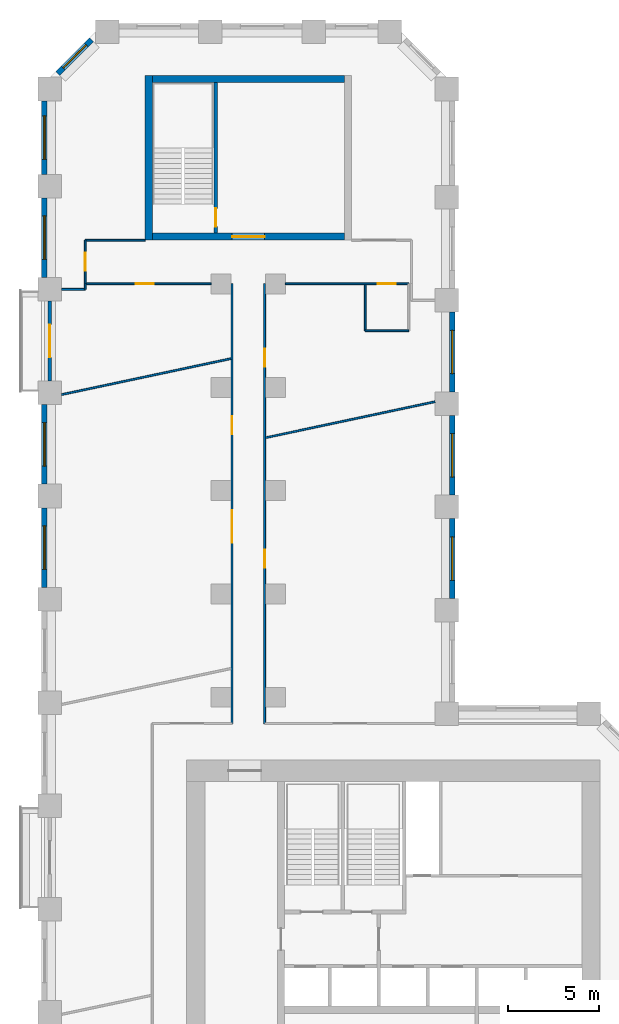
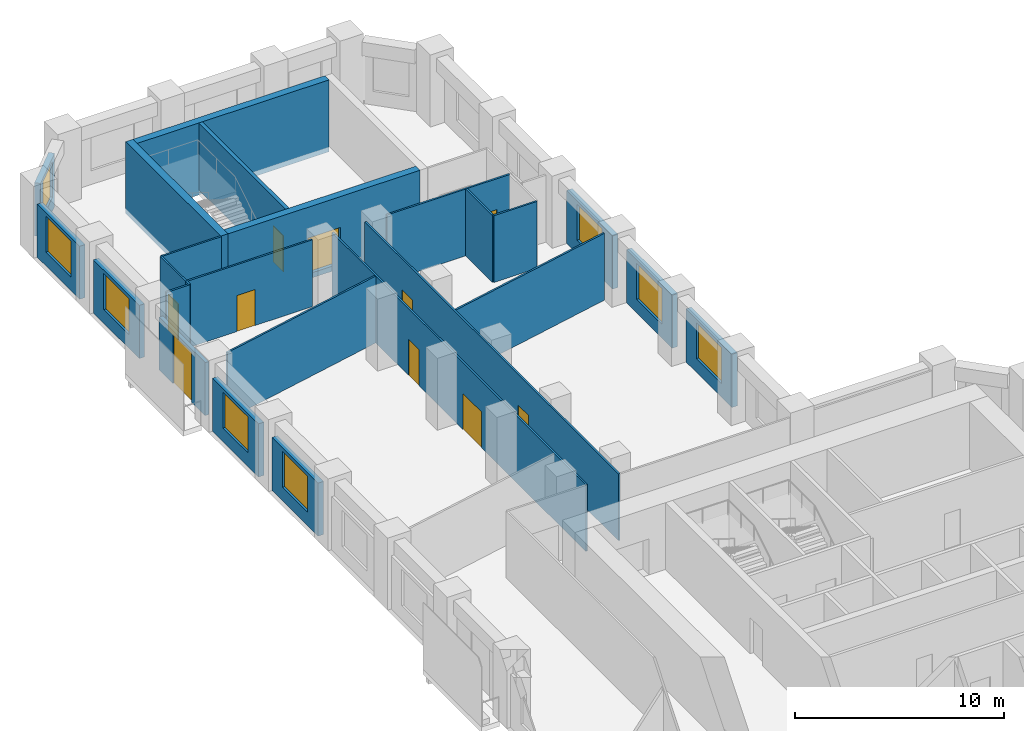
# One storey, part 8 of 11: 25 walls, 10 doors, 8 windows, 18 openings.
"""IFC4 building model written with IfcOpenShell, lengths in metres."""

from ifc_helpers import new_model, si_unit, direction, frame, frame_2d, origin, place, context, subcontext, project, spatial, rectangle, extrude, material, layer, layer_set, type_object, element, fill, save


model = new_model("IFC4")

# Units and contexts
model_context = context("Model", 3, precision=1e-05, world=origin(), true_north=direction((0.0, 1.0)))
body_context = subcontext(model_context, "Body", "Model", "MODEL_VIEW")
ifc_project = project(units=[si_unit("LENGTHUNIT", "METRE"), si_unit("AREAUNIT", "SQUARE_METRE"), si_unit("VOLUMEUNIT", "CUBIC_METRE"), si_unit("PLANEANGLEUNIT", "RADIAN"), si_unit("MASSUNIT", "GRAM", prefix="KILO")], contexts=[model_context])

# Site, building, storey
site_placement = place(None, origin())
site = spatial("IfcSite", under=ifc_project, at=site_placement, CompositionType="ELEMENT")
building_placement = place(site_placement, origin())
building = spatial("IfcBuilding", under=site, at=building_placement, Name="Meshkara Civic Tower", CompositionType="ELEMENT")
storey_placement = place(building_placement, frame((0.0, 0.0, 135.0)))
storey = spatial("IfcBuildingStorey", under=building, at=storey_placement, Name="L30", CompositionType="ELEMENT", Elevation=135.0)

# Wall, opening, door
ifc_material_1 = material(Name="Corridor wall 100")
ifc_layer_1 = layer(ifc_material_1, 0.10009765625)
ifc_layer_set_1 = layer_set([ifc_layer_1], Name="Corridor wall 100")
wall_type_1 = type_object("IfcWallType", Name="Corridor wall 100", PredefinedType="PARTITIONING", material=ifc_layer_set_1)
wall_1_placement = place(storey_placement, frame((2.39990234375, 63.169921875, 0.0), z_axis=(0.0, 0.0, 1.0), x_axis=(1.0, 0.0, 0.0)))
wall_1 = element("IfcWall", 1, at=wall_1_placement, inside=storey, type_object=wall_type_1, Name="L30-W001", PredefinedType="PARTITIONING", context=body_context, shape_type="SweptSolid", body=[
    extrude(rectangle(XDim=6.9501953125, YDim=0.10009765625, at=frame_2d((3.47509765625, 0.0))), origin(), (0.0, 0.0, 1.0), 3.89990234375),
])
opening_1_placement = place(wall_1_placement, frame((2.780029296875, 0.0, 0.0)))
opening_1 = element("IfcOpeningElement", 2, at=opening_1_placement, cuts=wall_1, Name="Opening L30-D023", PredefinedType="OPENING", context=body_context, shape_type="SweptSolid", body=[
    extrude(rectangle(XDim=1.0, YDim=2.10009765625, at=frame_2d((0.5, 1.050048828125))), frame((0.0, 0.06005859375, 0.0), z_axis=(0.0, -1.0, 0.0), x_axis=(1.0, 0.0, 0.0)), (0.0, 0.0, 1.0), 0.1201171875),
])
ifc_material_2 = material(Name="Door 1000 x 2100")
door_type_1 = type_object("IfcDoorType", Name="Door 1000 x 2100", OperationType="SINGLE_SWING_LEFT", PredefinedType="DOOR", material=ifc_material_2)
door_1_placement = place(opening_1_placement, origin())
door_1 = element("IfcDoor", 3, at=door_1_placement, inside=storey, type_object=door_type_1, Name="L30-D023", OperationType="SINGLE_SWING_RIGHT", OverallHeight=2.10009765625, OverallWidth=1.0, PredefinedType="DOOR", context=body_context, shape_type="SweptSolid", body=[
    extrude(rectangle(XDim=1.0, YDim=2.10009765625, at=frame_2d((0.5, 1.050048828125))), frame((0.0, 0.02490234375, 0.0), z_axis=(0.0, -1.0, 0.0), x_axis=(1.0, 0.0, 0.0)), (0.0, 0.0, 1.0), 0.050048828125),
])
fill(opening_1, door_1)

wall_2_placement = place(storey_placement, frame((2.39990234375, 65.570068359375, 0.0), z_axis=(0.0, 0.0, 1.0), x_axis=(0.0, -1.0, 0.0)))
wall_2 = element("IfcWall", 4, at=wall_2_placement, inside=storey, type_object=wall_type_1, Name="L30-W002", PredefinedType="PARTITIONING", context=body_context, shape_type="SweptSolid", body=[
    extrude(rectangle(XDim=2.400146484375, YDim=0.10009765625, at=frame_2d((1.2001953125, 0.0))), origin(), (0.0, 0.0, 1.0), 3.89990234375),
])
opening_2_placement = place(wall_2_placement, frame((0.679931640625, 0.0, 0.0)))
opening_2 = element("IfcOpeningElement", 5, at=opening_2_placement, cuts=wall_2, Name="Opening L30-D022", PredefinedType="OPENING", context=body_context, shape_type="SweptSolid", body=[
    extrude(rectangle(XDim=1.0, YDim=2.10009765625, at=frame_2d((0.5, 1.050048828125))), frame((0.0, 0.06005859375, 0.0), z_axis=(0.0, -1.0, 0.0), x_axis=(1.0, 0.0, 0.0)), (0.0, 0.0, 1.0), 0.1201171875),
])
door_2_placement = place(opening_2_placement, origin())
door_2 = element("IfcDoor", 6, at=door_2_placement, inside=storey, type_object=door_type_1, Name="L30-D022", OperationType="SINGLE_SWING_RIGHT", OverallHeight=2.10009765625, OverallWidth=1.0, PredefinedType="DOOR", context=body_context, shape_type="SweptSolid", body=[
    extrude(rectangle(XDim=1.0, YDim=2.10009765625, at=frame_2d((0.5, 1.050048828125))), frame((0.0, 0.02490234375, 0.0), z_axis=(0.0, -1.0, 0.0), x_axis=(1.0, 0.0, 0.0)), (0.0, 0.0, 1.0), 0.050048828125),
])
fill(opening_2, door_2)

# Wall
wall_3_placement = place(storey_placement, frame((5.699951171875, 65.570068359375, 0.0), z_axis=(0.0, 0.0, 1.0), x_axis=(-1.0, 0.0, 0.0)))
element("IfcWall", 7, at=wall_3_placement, inside=storey, type_object=wall_type_1, Name="L30-W003", PredefinedType="PARTITIONING", context=body_context, shape_type="SweptSolid", body=[
    extrude(rectangle(XDim=3.300048828125, YDim=0.10009765625, at=frame_2d((1.64990234375, 0.0))), origin(), (0.0, 0.0, 1.0), 3.89990234375),
])

# Wall, openings, doors
wall_4_placement = place(storey_placement, frame((10.5, 63.169921875, 0.0), z_axis=(0.0, 0.0, 1.0), x_axis=(0.0, -1.0, 0.0)))
wall_4 = element("IfcWall", 8, at=wall_4_placement, inside=storey, type_object=wall_type_1, Name="L30-W012", PredefinedType="PARTITIONING", context=body_context, shape_type="SweptSolid", body=[
    extrude(rectangle(XDim=24.27001953125, YDim=0.10009765625, at=frame_2d((12.135009765625, 0.0))), origin(), (0.0, 0.0, 1.0), 3.89990234375),
])
opening_3_placement = place(wall_4_placement, frame((12.5029296875, 0.0, 0.0)))
opening_3 = element("IfcOpeningElement", 9, at=opening_3_placement, cuts=wall_4, Name="Opening L30-D019", PredefinedType="OPENING", context=body_context, shape_type="SweptSolid", body=[
    extrude(rectangle(XDim=1.800048828125, YDim=2.10009765625, at=frame_2d((0.89990234375, 1.050048828125))), frame((0.0, 0.06005859375, 0.0), z_axis=(0.0, -1.0, 0.0), x_axis=(1.0, 0.0, 0.0)), (0.0, 0.0, 1.0), 0.1201171875),
])
opening_4_placement = place(wall_4_placement, frame((7.302978515625, 0.0, 0.0)))
opening_4 = element("IfcOpeningElement", 10, at=opening_4_placement, cuts=wall_4, Name="Opening L30-D020", PredefinedType="OPENING", context=body_context, shape_type="SweptSolid", body=[
    extrude(rectangle(XDim=1.0, YDim=2.10009765625, at=frame_2d((0.5, 1.050048828125))), frame((0.0, 0.06005859375, 0.0), z_axis=(0.0, -1.0, 0.0), x_axis=(1.0, 0.0, 0.0)), (0.0, 0.0, 1.0), 0.1201171875),
])
door_3_placement = place(opening_4_placement, origin())
door_3 = element("IfcDoor", 11, at=door_3_placement, inside=storey, type_object=door_type_1, Name="L30-D020", OperationType="SINGLE_SWING_RIGHT", OverallHeight=2.10009765625, OverallWidth=1.0, PredefinedType="DOOR", context=body_context, shape_type="SweptSolid", body=[
    extrude(rectangle(XDim=1.0, YDim=2.10009765625, at=frame_2d((0.5, 1.050048828125))), frame((0.0, 0.02490234375, 0.0), z_axis=(0.0, -1.0, 0.0), x_axis=(1.0, 0.0, 0.0)), (0.0, 0.0, 1.0), 0.050048828125),
])
fill(opening_4, door_3)
ifc_material_3 = material(Name="Door pair 1800 x 2100")
door_type_2 = type_object("IfcDoorType", Name="Door pair 1800 x 2100", OperationType="SINGLE_SWING_LEFT", PredefinedType="DOOR", material=ifc_material_3)
door_4_placement = place(opening_3_placement, origin())
door_4 = element("IfcDoor", 12, at=door_4_placement, inside=storey, type_object=door_type_2, Name="L30-D019", OperationType="DOUBLE_DOOR_SINGLE_SWING", OverallHeight=2.10009765625, OverallWidth=1.800048828125, PredefinedType="DOOR", context=body_context, shape_type="SweptSolid", body=[
    extrude(rectangle(XDim=1.800048828125, YDim=2.10009765625, at=frame_2d((0.89990234375, 1.050048828125))), frame((0.0, 0.02490234375, 0.0), z_axis=(0.0, -1.0, 0.0), x_axis=(1.0, 0.0, 0.0)), (0.0, 0.0, 1.0), 0.050048828125),
])
fill(opening_3, door_4)

wall_5_placement = place(storey_placement, frame((12.300048828125, 63.169921875, 0.0), z_axis=(0.0, 0.0, 1.0), x_axis=(0.0, -1.0, 0.0)))
wall_5 = element("IfcWall", 13, at=wall_5_placement, inside=storey, type_object=wall_type_1, Name="L30-W013", PredefinedType="PARTITIONING", context=body_context, shape_type="SweptSolid", body=[
    extrude(rectangle(XDim=24.27001953125, YDim=0.10009765625, at=frame_2d((12.135009765625, 0.0))), origin(), (0.0, 0.0, 1.0), 3.89990234375),
])
opening_5_placement = place(wall_5_placement, frame((14.678955078125, 0.0, 0.0)))
opening_5 = element("IfcOpeningElement", 14, at=opening_5_placement, cuts=wall_5, Name="Opening L30-D018", PredefinedType="OPENING", context=body_context, shape_type="SweptSolid", body=[
    extrude(rectangle(XDim=1.0, YDim=2.10009765625, at=frame_2d((0.5, 1.050048828125))), frame((0.0, 0.06005859375, 0.0), z_axis=(0.0, -1.0, 0.0), x_axis=(1.0, 0.0, 0.0)), (0.0, 0.0, 1.0), 0.1201171875),
])
opening_6_placement = place(wall_5_placement, frame((3.580078125, 0.0, 0.0)))
opening_6 = element("IfcOpeningElement", 15, at=opening_6_placement, cuts=wall_5, Name="Opening L30-D021", PredefinedType="OPENING", context=body_context, shape_type="SweptSolid", body=[
    extrude(rectangle(XDim=1.0, YDim=2.10009765625, at=frame_2d((0.5, 1.050048828125))), frame((0.0, 0.06005859375, 0.0), z_axis=(0.0, -1.0, 0.0), x_axis=(1.0, 0.0, 0.0)), (0.0, 0.0, 1.0), 0.1201171875),
])
door_5_placement = place(opening_5_placement, origin())
door_5 = element("IfcDoor", 16, at=door_5_placement, inside=storey, type_object=door_type_1, Name="L30-D018", OperationType="SINGLE_SWING_LEFT", OverallHeight=2.10009765625, OverallWidth=1.0, PredefinedType="DOOR", context=body_context, shape_type="SweptSolid", body=[
    extrude(rectangle(XDim=1.0, YDim=2.10009765625, at=frame_2d((0.5, 1.050048828125))), frame((0.0, 0.02490234375, 0.0), z_axis=(0.0, -1.0, 0.0), x_axis=(1.0, 0.0, 0.0)), (0.0, 0.0, 1.0), 0.050048828125),
])
fill(opening_5, door_5)
door_6_placement = place(opening_6_placement, origin())
door_6 = element("IfcDoor", 17, at=door_6_placement, inside=storey, type_object=door_type_1, Name="L30-D021", OperationType="SINGLE_SWING_LEFT", OverallHeight=2.10009765625, OverallWidth=1.0, PredefinedType="DOOR", context=body_context, shape_type="SweptSolid", body=[
    extrude(rectangle(XDim=1.0, YDim=2.10009765625, at=frame_2d((0.5, 1.050048828125))), frame((0.0, 0.02490234375, 0.0), z_axis=(0.0, -1.0, 0.0), x_axis=(1.0, 0.0, 0.0)), (0.0, 0.0, 1.0), 0.050048828125),
])
fill(opening_6, door_6)

# Wall, opening, door
wall_6_placement = place(storey_placement, frame((13.449951171875, 63.169921875, 0.0), z_axis=(0.0, 0.0, 1.0), x_axis=(1.0, 0.0, 0.0)))
wall_6 = element("IfcWall", 18, at=wall_6_placement, inside=storey, type_object=wall_type_1, Name="L30-W015", PredefinedType="PARTITIONING", context=body_context, shape_type="SweptSolid", body=[
    extrude(rectangle(XDim=6.800048828125, YDim=0.10009765625, at=frame_2d((3.39990234375, 0.0))), origin(), (0.0, 0.0, 1.0), 3.89990234375),
])
opening_7_placement = place(wall_6_placement, frame((5.080078125, 0.0, 0.0)))
opening_7 = element("IfcOpeningElement", 19, at=opening_7_placement, cuts=wall_6, Name="Opening L30-D025", PredefinedType="OPENING", context=body_context, shape_type="SweptSolid", body=[
    extrude(rectangle(XDim=1.0, YDim=2.10009765625, at=frame_2d((0.5, 1.050048828125))), frame((0.0, 0.06005859375, 0.0), z_axis=(0.0, -1.0, 0.0), x_axis=(1.0, 0.0, 0.0)), (0.0, 0.0, 1.0), 0.1201171875),
])
door_7_placement = place(opening_7_placement, origin())
door_7 = element("IfcDoor", 20, at=door_7_placement, inside=storey, type_object=door_type_1, Name="L30-D025", OperationType="SINGLE_SWING_RIGHT", OverallHeight=2.10009765625, OverallWidth=1.0, PredefinedType="DOOR", context=body_context, shape_type="SweptSolid", body=[
    extrude(rectangle(XDim=1.0, YDim=2.10009765625, at=frame_2d((0.5, 1.050048828125))), frame((0.0, 0.02490234375, 0.0), z_axis=(0.0, -1.0, 0.0), x_axis=(1.0, 0.0, 0.0)), (0.0, 0.0, 1.0), 0.050048828125),
])
fill(opening_7, door_7)

# Wall, opening, window
ifc_material_4 = material(Name="Insulated infill panel with bronze anodised aluminium cladding", Category="aluminium")
ifc_layer_2 = layer(ifc_material_4, 0.300048828125)
ifc_layer_set_2 = layer_set([ifc_layer_2], Name="EXTERNAL INFILL WALL 300")
wall_type_2 = type_object("IfcWallType", Name="EXTERNAL INFILL WALL 300", PredefinedType="SOLIDWALL", material=ifc_layer_set_2)
wall_7_placement = place(storey_placement, frame((22.64990234375, 45.800048828125, 0.0), z_axis=(0.0, 0.0, 1.0), x_axis=(0.0, 1.0, 0.0)))
wall_7 = element("IfcWall", 21, at=wall_7_placement, inside=storey, type_object=wall_type_2, Name="External wall", PredefinedType="SOLIDWALL", context=body_context, shape_type="SweptSolid", body=[
    extrude(rectangle(XDim=4.39990234375, YDim=0.300048828125, at=frame_2d((2.199951171875, 0.0))), origin(), (0.0, 0.0, 1.0), 3.10009765625),
])
opening_8_placement = place(wall_7_placement, frame((1.0, 0.0, 0.800048828125)))
opening_8 = element("IfcOpeningElement", 22, at=opening_8_placement, cuts=wall_7, Name="Opening W7", PredefinedType="OPENING", context=body_context, shape_type="SweptSolid", body=[
    extrude(rectangle(XDim=2.39990234375, YDim=2.10009765625, at=frame_2d((1.199951171875, 1.050048828125))), frame((0.0, 0.159912109375, 0.0), z_axis=(0.0, -1.0, 0.0), x_axis=(1.0, 0.0, 0.0)), (0.0, 0.0, 1.0), 0.320068359375),
])
ifc_material_5 = material(Name="Tinted double glazing", Category="glass")
window_type_1 = type_object("IfcWindowType", Name="WINDOW 2400x2100", PartitioningType="DOUBLE_PANEL_VERTICAL", PredefinedType="WINDOW", material=ifc_material_5)
window_1_placement = place(opening_8_placement, origin())
window_1 = element("IfcWindow", 23, at=window_1_placement, inside=storey, type_object=window_type_1, Name="Window", OverallHeight=2.10009765625, OverallWidth=2.39990234375, PartitioningType="DOUBLE_PANEL_VERTICAL", PredefinedType="WINDOW", context=body_context, shape_type="SweptSolid", body=[
    extrude(rectangle(XDim=2.39990234375, YDim=2.10009765625, at=frame_2d((1.199951171875, 1.050048828125))), frame((0.0, 0.030029296875, 0.0), z_axis=(0.0, -1.0, 0.0), x_axis=(1.0, 0.0, 0.0)), (0.0, 0.0, 1.0), 0.06005859375),
])
fill(opening_8, window_1)

wall_8_placement = place(storey_placement, frame((22.64990234375, 51.5, 0.0), z_axis=(0.0, 0.0, 1.0), x_axis=(0.0, 1.0, 0.0)))
wall_8 = element("IfcWall", 24, at=wall_8_placement, inside=storey, type_object=wall_type_2, Name="External wall", PredefinedType="SOLIDWALL", context=body_context, shape_type="SweptSolid", body=[
    extrude(rectangle(XDim=4.39990234375, YDim=0.300048828125, at=frame_2d((2.199951171875, 0.0))), origin(), (0.0, 0.0, 1.0), 3.10009765625),
])
opening_9_placement = place(wall_8_placement, frame((1.0, 0.0, 0.800048828125)))
opening_9 = element("IfcOpeningElement", 25, at=opening_9_placement, cuts=wall_8, Name="Opening W7", PredefinedType="OPENING", context=body_context, shape_type="SweptSolid", body=[
    extrude(rectangle(XDim=2.39990234375, YDim=2.10009765625, at=frame_2d((1.199951171875, 1.050048828125))), frame((0.0, 0.159912109375, 0.0), z_axis=(0.0, -1.0, 0.0), x_axis=(1.0, 0.0, 0.0)), (0.0, 0.0, 1.0), 0.320068359375),
])
window_2_placement = place(opening_9_placement, origin())
window_2 = element("IfcWindow", 26, at=window_2_placement, inside=storey, type_object=window_type_1, Name="Window", OverallHeight=2.10009765625, OverallWidth=2.39990234375, PartitioningType="DOUBLE_PANEL_VERTICAL", PredefinedType="WINDOW", context=body_context, shape_type="SweptSolid", body=[
    extrude(rectangle(XDim=2.39990234375, YDim=2.10009765625, at=frame_2d((1.199951171875, 1.050048828125))), frame((0.0, 0.030029296875, 0.0), z_axis=(0.0, -1.0, 0.0), x_axis=(1.0, 0.0, 0.0)), (0.0, 0.0, 1.0), 0.06005859375),
])
fill(opening_9, window_2)

wall_9_placement = place(storey_placement, frame((22.64990234375, 57.199951171875, 0.0), z_axis=(0.0, 0.0, 1.0), x_axis=(0.0, 1.0, 0.0)))
wall_9 = element("IfcWall", 27, at=wall_9_placement, inside=storey, type_object=wall_type_2, Name="External wall", PredefinedType="SOLIDWALL", context=body_context, shape_type="SweptSolid", body=[
    extrude(rectangle(XDim=4.400146484375, YDim=0.300048828125, at=frame_2d((2.2001953125, 0.0))), origin(), (0.0, 0.0, 1.0), 3.10009765625),
])
opening_10_placement = place(wall_9_placement, frame((1.0, 0.0, 0.800048828125)))
opening_10 = element("IfcOpeningElement", 28, at=opening_10_placement, cuts=wall_9, Name="Opening W7", PredefinedType="OPENING", context=body_context, shape_type="SweptSolid", body=[
    extrude(rectangle(XDim=2.39990234375, YDim=2.10009765625, at=frame_2d((1.199951171875, 1.050048828125))), frame((0.0, 0.159912109375, 0.0), z_axis=(0.0, -1.0, 0.0), x_axis=(1.0, 0.0, 0.0)), (0.0, 0.0, 1.0), 0.320068359375),
])
window_3_placement = place(opening_10_placement, origin())
window_3 = element("IfcWindow", 29, at=window_3_placement, inside=storey, type_object=window_type_1, Name="Window", OverallHeight=2.10009765625, OverallWidth=2.39990234375, PartitioningType="DOUBLE_PANEL_VERTICAL", PredefinedType="WINDOW", context=body_context, shape_type="SweptSolid", body=[
    extrude(rectangle(XDim=2.39990234375, YDim=2.10009765625, at=frame_2d((1.199951171875, 1.050048828125))), frame((0.0, 0.030029296875, 0.0), z_axis=(0.0, -1.0, 0.0), x_axis=(1.0, 0.0, 0.0)), (0.0, 0.0, 1.0), 0.06005859375),
])
fill(opening_10, window_3)

wall_10_placement = place(storey_placement, frame((2.743896484375, 76.632080078125, 0.0), z_axis=(0.0, 0.0, 1.0), x_axis=(-0.707060274772, -0.707153284542, 0.0)))
wall_10 = element("IfcWall", 30, at=wall_10_placement, inside=storey, type_object=wall_type_2, Name="External wall", PredefinedType="SOLIDWALL", context=body_context, shape_type="SweptSolid", body=[
    extrude(rectangle(XDim=2.625, YDim=0.300048828125, at=frame_2d((1.3125, 0.0))), origin(), (0.0, 0.0, 1.0), 3.10009765625),
])
opening_11_placement = place(wall_10_placement, frame((0.412109375, 0.0, 0.800048828125)))
opening_11 = element("IfcOpeningElement", 31, at=opening_11_placement, cuts=wall_10, Name="Opening W9", PredefinedType="OPENING", context=body_context, shape_type="SweptSolid", body=[
    extrude(rectangle(XDim=1.800048828125, YDim=2.10009765625, at=frame_2d((0.89990234375, 1.050048828125))), frame((0.0, 0.159912109375, 0.0), z_axis=(0.0, -1.0, 0.0), x_axis=(1.0, 0.0, 0.0)), (0.0, 0.0, 1.0), 0.320068359375),
])
ifc_material_6 = material(Name="Tinted double glazing", Category="glass")
window_type_2 = type_object("IfcWindowType", Name="WINDOW 1800x2100", PartitioningType="DOUBLE_PANEL_VERTICAL", PredefinedType="WINDOW", material=ifc_material_6)
window_4_placement = place(opening_11_placement, origin())
window_4 = element("IfcWindow", 32, at=window_4_placement, inside=storey, type_object=window_type_2, Name="Window", OverallHeight=2.10009765625, OverallWidth=1.800048828125, PartitioningType="DOUBLE_PANEL_VERTICAL", PredefinedType="WINDOW", context=body_context, shape_type="SweptSolid", body=[
    extrude(rectangle(XDim=1.800048828125, YDim=2.10009765625, at=frame_2d((0.89990234375, 1.050048828125))), frame((0.0, 0.030029296875, 0.0), z_axis=(0.0, -1.0, 0.0), x_axis=(1.0, 0.0, 0.0)), (0.0, 0.0, 1.0), 0.06005859375),
])
fill(opening_11, window_4)

wall_11_placement = place(storey_placement, frame((0.14990234375, 73.263916015625, 0.0), z_axis=(0.0, 0.0, 1.0), x_axis=(0.0, -1.0, 0.0)))
wall_11 = element("IfcWall", 33, at=wall_11_placement, inside=storey, type_object=wall_type_2, Name="External wall", PredefinedType="SOLIDWALL", context=body_context, shape_type="SweptSolid", body=[
    extrude(rectangle(XDim=4.058837890625, YDim=0.300048828125, at=frame_2d((2.029296875, 0.0))), origin(), (0.0, 0.0, 1.0), 3.10009765625),
])
opening_12_placement = place(wall_11_placement, frame((0.8291015625, 0.0, 0.800048828125)))
opening_12 = element("IfcOpeningElement", 34, at=opening_12_placement, cuts=wall_11, Name="Opening W7", PredefinedType="OPENING", context=body_context, shape_type="SweptSolid", body=[
    extrude(rectangle(XDim=2.39990234375, YDim=2.10009765625, at=frame_2d((1.199951171875, 1.050048828125))), frame((0.0, 0.159912109375, 0.0), z_axis=(0.0, -1.0, 0.0), x_axis=(1.0, 0.0, 0.0)), (0.0, 0.0, 1.0), 0.320068359375),
])
window_5_placement = place(opening_12_placement, origin())
window_5 = element("IfcWindow", 35, at=window_5_placement, inside=storey, type_object=window_type_1, Name="Window", OverallHeight=2.10009765625, OverallWidth=2.39990234375, PartitioningType="DOUBLE_PANEL_VERTICAL", PredefinedType="WINDOW", context=body_context, shape_type="SweptSolid", body=[
    extrude(rectangle(XDim=2.39990234375, YDim=2.10009765625, at=frame_2d((1.199951171875, 1.050048828125))), frame((0.0, 0.030029296875, 0.0), z_axis=(0.0, -1.0, 0.0), x_axis=(1.0, 0.0, 0.0)), (0.0, 0.0, 1.0), 0.06005859375),
])
fill(opening_12, window_5)

wall_12_placement = place(storey_placement, frame((0.14990234375, 67.905029296875, 0.0), z_axis=(0.0, 0.0, 1.0), x_axis=(0.0, -1.0, 0.0)))
wall_12 = element("IfcWall", 36, at=wall_12_placement, inside=storey, type_object=wall_type_2, Name="External wall", PredefinedType="SOLIDWALL", context=body_context, shape_type="SweptSolid", body=[
    extrude(rectangle(XDim=4.400146484375, YDim=0.300048828125, at=frame_2d((2.2001953125, 0.0))), origin(), (0.0, 0.0, 1.0), 3.10009765625),
])
opening_13_placement = place(wall_12_placement, frame((1.0, 0.0, 0.800048828125)))
opening_13 = element("IfcOpeningElement", 37, at=opening_13_placement, cuts=wall_12, Name="Opening W7", PredefinedType="OPENING", context=body_context, shape_type="SweptSolid", body=[
    extrude(rectangle(XDim=2.39990234375, YDim=2.10009765625, at=frame_2d((1.199951171875, 1.050048828125))), frame((0.0, 0.159912109375, 0.0), z_axis=(0.0, -1.0, 0.0), x_axis=(1.0, 0.0, 0.0)), (0.0, 0.0, 1.0), 0.320068359375),
])
window_6_placement = place(opening_13_placement, origin())
window_6 = element("IfcWindow", 38, at=window_6_placement, inside=storey, type_object=window_type_1, Name="Window", OverallHeight=2.10009765625, OverallWidth=2.39990234375, PartitioningType="DOUBLE_PANEL_VERTICAL", PredefinedType="WINDOW", context=body_context, shape_type="SweptSolid", body=[
    extrude(rectangle(XDim=2.39990234375, YDim=2.10009765625, at=frame_2d((1.199951171875, 1.050048828125))), frame((0.0, 0.030029296875, 0.0), z_axis=(0.0, -1.0, 0.0), x_axis=(1.0, 0.0, 0.0)), (0.0, 0.0, 1.0), 0.06005859375),
])
fill(opening_13, window_6)

wall_13_placement = place(storey_placement, frame((0.14990234375, 56.5048828125, 0.0), z_axis=(0.0, 0.0, 1.0), x_axis=(0.0, -1.0, 0.0)))
wall_13 = element("IfcWall", 39, at=wall_13_placement, inside=storey, type_object=wall_type_2, Name="External wall", PredefinedType="SOLIDWALL", context=body_context, shape_type="SweptSolid", body=[
    extrude(rectangle(XDim=4.39990234375, YDim=0.300048828125, at=frame_2d((2.199951171875, 0.0))), origin(), (0.0, 0.0, 1.0), 3.10009765625),
])
opening_14_placement = place(wall_13_placement, frame((1.0, 0.0, 0.800048828125)))
opening_14 = element("IfcOpeningElement", 40, at=opening_14_placement, cuts=wall_13, Name="Opening W7", PredefinedType="OPENING", context=body_context, shape_type="SweptSolid", body=[
    extrude(rectangle(XDim=2.39990234375, YDim=2.10009765625, at=frame_2d((1.199951171875, 1.050048828125))), frame((0.0, 0.159912109375, 0.0), z_axis=(0.0, -1.0, 0.0), x_axis=(1.0, 0.0, 0.0)), (0.0, 0.0, 1.0), 0.320068359375),
])
window_7_placement = place(opening_14_placement, origin())
window_7 = element("IfcWindow", 41, at=window_7_placement, inside=storey, type_object=window_type_1, Name="Window", OverallHeight=2.10009765625, OverallWidth=2.39990234375, PartitioningType="DOUBLE_PANEL_VERTICAL", PredefinedType="WINDOW", context=body_context, shape_type="SweptSolid", body=[
    extrude(rectangle(XDim=2.39990234375, YDim=2.10009765625, at=frame_2d((1.199951171875, 1.050048828125))), frame((0.0, 0.030029296875, 0.0), z_axis=(0.0, -1.0, 0.0), x_axis=(1.0, 0.0, 0.0)), (0.0, 0.0, 1.0), 0.06005859375),
])
fill(opening_14, window_7)

wall_14_placement = place(storey_placement, frame((0.14990234375, 50.804931640625, 0.0), z_axis=(0.0, 0.0, 1.0), x_axis=(0.0, -1.0, 0.0)))
wall_14 = element("IfcWall", 42, at=wall_14_placement, inside=storey, type_object=wall_type_2, Name="External wall", PredefinedType="SOLIDWALL", context=body_context, shape_type="SweptSolid", body=[
    extrude(rectangle(XDim=4.39990234375, YDim=0.300048828125, at=frame_2d((2.199951171875, 0.0))), origin(), (0.0, 0.0, 1.0), 3.10009765625),
])
opening_15_placement = place(wall_14_placement, frame((1.0, 0.0, 0.800048828125)))
opening_15 = element("IfcOpeningElement", 43, at=opening_15_placement, cuts=wall_14, Name="Opening W7", PredefinedType="OPENING", context=body_context, shape_type="SweptSolid", body=[
    extrude(rectangle(XDim=2.39990234375, YDim=2.10009765625, at=frame_2d((1.199951171875, 1.050048828125))), frame((0.0, 0.159912109375, 0.0), z_axis=(0.0, -1.0, 0.0), x_axis=(1.0, 0.0, 0.0)), (0.0, 0.0, 1.0), 0.320068359375),
])
window_8_placement = place(opening_15_placement, origin())
window_8 = element("IfcWindow", 44, at=window_8_placement, inside=storey, type_object=window_type_1, Name="Window", OverallHeight=2.10009765625, OverallWidth=2.39990234375, PartitioningType="DOUBLE_PANEL_VERTICAL", PredefinedType="WINDOW", context=body_context, shape_type="SweptSolid", body=[
    extrude(rectangle(XDim=2.39990234375, YDim=2.10009765625, at=frame_2d((1.199951171875, 1.050048828125))), frame((0.0, 0.030029296875, 0.0), z_axis=(0.0, -1.0, 0.0), x_axis=(1.0, 0.0, 0.0)), (0.0, 0.0, 1.0), 0.06005859375),
])
fill(opening_15, window_8)

# Wall
ifc_material_7 = material(Name="Concrete C70", Category="concrete")
ifc_layer_3 = layer(ifc_material_7, 0.39990234375)
ifc_layer_set_3 = layer_set([ifc_layer_3], Name="End core ring wall 400 C70")
wall_type_3 = type_object("IfcWallType", Name="End core ring wall 400 C70", PredefinedType="SHEAR", material=ifc_layer_set_3)
wall_15_placement = place(storey_placement, frame((5.89990234375, 65.570068359375, -0.300048828125), z_axis=(0.0, 0.0, 1.0), x_axis=(0.0, 1.0, 0.0)))
element("IfcWall", 45, at=wall_15_placement, inside=storey, type_object=wall_type_3, Name="L30-C025", PredefinedType="SHEAR", context=body_context, shape_type="SweptSolid", body=[
    extrude(rectangle(XDim=9.099853515625, YDim=0.39990234375, at=frame_2d((4.5498046875, 0.0))), origin(), (0.0, 0.0, 1.0), 4.199951171875),
])

# Wall, opening, door
wall_16_placement = place(storey_placement, frame((6.10009765625, 65.77001953125, -0.300048828125), z_axis=(0.0, 0.0, 1.0), x_axis=(1.0, 0.0, 0.0)))
wall_16 = element("IfcWall", 46, at=wall_16_placement, inside=storey, type_object=wall_type_3, Name="L30-C027", PredefinedType="SHEAR", context=body_context, shape_type="SweptSolid", body=[
    extrude(rectangle(XDim=10.599853515625, YDim=0.39990234375, at=frame_2d((5.2998046875, 0.0))), origin(), (0.0, 0.0, 1.0), 4.199951171875),
])
opening_16_placement = place(wall_16_placement, frame((4.39990234375, 0.0, 0.300048828125)))
opening_16 = element("IfcOpeningElement", 47, at=opening_16_placement, cuts=wall_16, Name="Opening L30-K102", PredefinedType="OPENING", context=body_context, shape_type="SweptSolid", body=[
    extrude(rectangle(XDim=1.800048828125, YDim=2.10009765625, at=frame_2d((0.89990234375, 1.050048828125))), frame((0.0, 0.2099609375, 0.0), z_axis=(0.0, -1.0, 0.0), x_axis=(1.0, 0.0, 0.0)), (0.0, 0.0, 1.0), 0.419921875),
])
ifc_material_8 = material(Name="Fire-rated door leaf in steel frame", Category="steel")
door_type_3 = type_object("IfcDoorType", Name="Core double door 1800 EI 60", OperationType="DOUBLE_DOOR_SINGLE_SWING", PredefinedType="DOOR", material=ifc_material_8)
door_8_placement = place(opening_16_placement, origin())
door_8 = element("IfcDoor", 48, at=door_8_placement, inside=storey, type_object=door_type_3, Name="L30-K102", OperationType="DOUBLE_DOOR_SINGLE_SWING", OverallHeight=2.10009765625, OverallWidth=1.800048828125, PredefinedType="DOOR", context=body_context, shape_type="SweptSolid", body=[
    extrude(rectangle(XDim=1.800048828125, YDim=2.10009765625, at=frame_2d((0.89990234375, 1.050048828125))), frame((0.0, 0.02490234375, 0.0), z_axis=(0.0, -1.0, 0.0), x_axis=(1.0, 0.0, 0.0)), (0.0, 0.0, 1.0), 0.050048828125),
])
fill(opening_16, door_8)

# Wall
wall_17_placement = place(storey_placement, frame((6.10009765625, 74.469970703125, -0.300048828125), z_axis=(0.0, 0.0, 1.0), x_axis=(1.0, 0.0, 0.0)))
element("IfcWall", 49, at=wall_17_placement, inside=storey, type_object=wall_type_3, Name="L30-C028", PredefinedType="SHEAR", context=body_context, shape_type="SweptSolid", body=[
    extrude(rectangle(XDim=10.599853515625, YDim=0.39990234375, at=frame_2d((5.2998046875, 0.0))), origin(), (0.0, 0.0, 1.0), 4.199951171875),
])

# Wall, opening, door
ifc_material_9 = material(Name="Insulated infill panel with bronze anodised aluminium cladding", Category="aluminium")
ifc_layer_4 = layer(ifc_material_9, 0.199951171875)
ifc_layer_set_4 = layer_set([ifc_layer_4], Name="LOGGIA BACK WALL 200")
wall_type_4 = type_object("IfcWallType", Name="LOGGIA BACK WALL 200", PredefinedType="SOLIDWALL", material=ifc_layer_set_4)
wall_18_placement = place(storey_placement, frame((0.449951171875, 62.2041015625, 0.0), z_axis=(0.0, 0.0, 1.0), x_axis=(0.0, -1.0, 0.0)))
wall_18 = element("IfcWall", 50, at=wall_18_placement, inside=storey, type_object=wall_type_4, Name="Loggia wall", PredefinedType="SOLIDWALL", context=body_context, shape_type="SweptSolid", body=[
    extrude(rectangle(XDim=4.399169921875, YDim=0.199951171875, at=frame_2d((2.19970703125, 0.0))), origin(), (0.0, 0.0, 1.0), 3.10009765625),
])
opening_17_placement = place(wall_18_placement, frame((1.299072265625, 0.0, 0.0)))
opening_17 = element("IfcOpeningElement", 51, at=opening_17_placement, cuts=wall_18, Name="Opening L30-L001", PredefinedType="OPENING", context=body_context, shape_type="SweptSolid", body=[
    extrude(rectangle(XDim=1.800048828125, YDim=2.89990234375, at=frame_2d((0.89990234375, 1.449951171875))), frame((0.0, 0.10986328125, 0.0), z_axis=(0.0, -1.0, 0.0), x_axis=(1.0, 0.0, 0.0)), (0.0, 0.0, 1.0), 0.219970703125),
])
ifc_material_10 = material(Name="Tinted double glazing", Category="glass")
door_type_4 = type_object("IfcDoorType", Name="LOGGIA DOOR 1800x2900", OperationType="DOUBLE_DOOR_SINGLE_SWING", PredefinedType="DOOR", material=ifc_material_10)
door_9_placement = place(opening_17_placement, origin())
door_9 = element("IfcDoor", 52, at=door_9_placement, inside=storey, type_object=door_type_4, Name="L30-L001", OperationType="DOUBLE_DOOR_SINGLE_SWING", OverallHeight=2.89990234375, OverallWidth=1.800048828125, PredefinedType="DOOR", context=body_context, shape_type="SweptSolid", body=[
    extrude(rectangle(XDim=1.800048828125, YDim=2.89990234375, at=frame_2d((0.89990234375, 1.449951171875))), frame((0.0, 0.02490234375, 0.0), z_axis=(0.0, -1.0, 0.0), x_axis=(1.0, 0.0, 0.0)), (0.0, 0.0, 1.0), 0.050048828125),
])
fill(opening_17, door_9)

# Walls
ifc_material_11 = material(Name="Partition 100")
ifc_layer_5 = layer(ifc_material_11, 0.10009765625)
ifc_layer_set_5 = layer_set([ifc_layer_5], Name="Partition 100")
wall_type_5 = type_object("IfcWallType", Name="Partition 100", PredefinedType="PARTITIONING", material=ifc_layer_set_5)
wall_19_placement = place(storey_placement, frame((2.39990234375, 62.85498046875, 0.0), z_axis=(0.0, 0.0, 1.0), x_axis=(-1.0, 0.0, 0.0)))
element("IfcWall", 53, at=wall_19_placement, inside=storey, type_object=wall_type_5, Name="L30-W031", PredefinedType="PARTITIONING", context=body_context, shape_type="SweptSolid", body=[
    extrude(rectangle(XDim=1.2998046875, YDim=0.10009765625, at=frame_2d((0.64990234375, 0.0))), origin(), (0.0, 0.0, 1.0), 3.89990234375),
])
wall_20_placement = place(storey_placement, frame((2.39990234375, 63.174072265625, 0.0), z_axis=(0.0, 0.0, 1.0), x_axis=(0.0, -1.0, 0.0)))
element("IfcWall", 54, at=wall_20_placement, inside=storey, type_object=wall_type_5, Name="L30-W032", PredefinedType="PARTITIONING", context=body_context, shape_type="SweptSolid", body=[
    extrude(rectangle(XDim=0.319091796875, YDim=0.10009765625, at=frame_2d((0.15966796875, 0.0))), origin(), (0.0, 0.0, 1.0), 3.89990234375),
])
wall_21_placement = place(storey_placement, frame((10.43994140625, 59.033935546875, 0.0), z_axis=(0.0, 0.0, 1.0), x_axis=(-0.978134931407, -0.207971286388, 0.0)))
element("IfcWall", 55, at=wall_21_placement, inside=storey, type_object=wall_type_5, Name="L30-W037", PredefinedType="PARTITIONING", context=body_context, shape_type="SweptSolid", body=[
    extrude(rectangle(XDim=9.548583984375, YDim=0.10009765625, at=frame_2d((4.7744140625, 0.0))), origin(), (0.0, 0.0, 1.0), 3.89990234375),
])
wall_22_placement = place(storey_placement, frame((17.85009765625, 60.570068359375, 0.0), z_axis=(0.0, 0.0, 1.0), x_axis=(0.0, 1.0, 0.0)))
element("IfcWall", 56, at=wall_22_placement, inside=storey, type_object=wall_type_5, Name="L30-W038", PredefinedType="PARTITIONING", context=body_context, shape_type="SweptSolid", body=[
    extrude(rectangle(XDim=2.550048828125, YDim=0.10009765625, at=frame_2d((1.27490234375, 0.0))), origin(), (0.0, 0.0, 1.0), 3.89990234375),
])
wall_23_placement = place(storey_placement, frame((20.25, 60.570068359375, 0.0), z_axis=(0.0, 0.0, 1.0), x_axis=(-1.0, 0.0, 0.0)))
element("IfcWall", 57, at=wall_23_placement, inside=storey, type_object=wall_type_5, Name="L30-W039", PredefinedType="PARTITIONING", context=body_context, shape_type="SweptSolid", body=[
    extrude(rectangle(XDim=2.39990234375, YDim=0.10009765625, at=frame_2d((1.199951171875, 0.0))), origin(), (0.0, 0.0, 1.0), 3.89990234375),
])
wall_24_placement = place(storey_placement, frame((21.699951171875, 56.656005859375, 0.0), z_axis=(0.0, 0.0, 1.0), x_axis=(-0.978150532424, -0.207897897824, 0.0)))
element("IfcWall", 58, at=wall_24_placement, inside=storey, type_object=wall_type_5, Name="L30-W042", PredefinedType="PARTITIONING", context=body_context, shape_type="SweptSolid", body=[
    extrude(rectangle(XDim=9.548583984375, YDim=0.10009765625, at=frame_2d((4.7744140625, 0.0))), origin(), (0.0, 0.0, 1.0), 3.89990234375),
])

# Wall, opening, door
ifc_material_12 = material(Name="Concrete C40/50", Category="concrete")
ifc_layer_6 = layer(ifc_material_12, 0.199951171875)
ifc_layer_set_6 = layer_set([ifc_layer_6], Name="Stair enclosure wall 200 C40/50")
wall_type_6 = type_object("IfcWallType", Name="Stair enclosure wall 200 C40/50", PredefinedType="SOLIDWALL", material=ifc_layer_set_6)
wall_25_placement = place(storey_placement, frame((9.60009765625, 65.969970703125, 0.0), z_axis=(0.0, 0.0, 1.0), x_axis=(0.0, 1.0, 0.0)))
wall_25 = element("IfcWall", 59, at=wall_25_placement, inside=storey, type_object=wall_type_6, Name="L30-C029", PredefinedType="SOLIDWALL", context=body_context, shape_type="SweptSolid", body=[
    extrude(rectangle(XDim=8.300048828125, YDim=0.199951171875, at=frame_2d((4.14990234375, 0.0))), origin(), (0.0, 0.0, 1.0), 3.89990234375),
])
opening_18_placement = place(wall_25_placement, frame((0.35009765625, 0.0, 0.0)))
opening_18 = element("IfcOpeningElement", 60, at=opening_18_placement, cuts=wall_25, Name="Opening L30-K101", PredefinedType="OPENING", context=body_context, shape_type="SweptSolid", body=[
    extrude(rectangle(XDim=1.0, YDim=2.10009765625, at=frame_2d((0.5, 1.050048828125))), frame((0.0, 0.10986328125, 0.0), z_axis=(0.0, -1.0, 0.0), x_axis=(1.0, 0.0, 0.0)), (0.0, 0.0, 1.0), 0.219970703125),
])
ifc_material_13 = material(Name="Fire-rated door leaf in steel frame", Category="steel")
door_type_5 = type_object("IfcDoorType", Name="Stair door 1000 EI 120", OperationType="SINGLE_SWING_LEFT", PredefinedType="DOOR", material=ifc_material_13)
door_10_placement = place(opening_18_placement, origin())
door_10 = element("IfcDoor", 61, at=door_10_placement, inside=storey, type_object=door_type_5, Name="L30-K101", OperationType="SINGLE_SWING_RIGHT", OverallHeight=2.10009765625, OverallWidth=1.0, PredefinedType="DOOR", context=body_context, shape_type="SweptSolid", body=[
    extrude(rectangle(XDim=1.0, YDim=2.10009765625, at=frame_2d((0.5, 1.050048828125))), frame((0.0, 0.02490234375, 0.0), z_axis=(0.0, -1.0, 0.0), x_axis=(1.0, 0.0, 0.0)), (0.0, 0.0, 1.0), 0.050048828125),
])
fill(opening_18, door_10)

save(model, "model.ifc")
